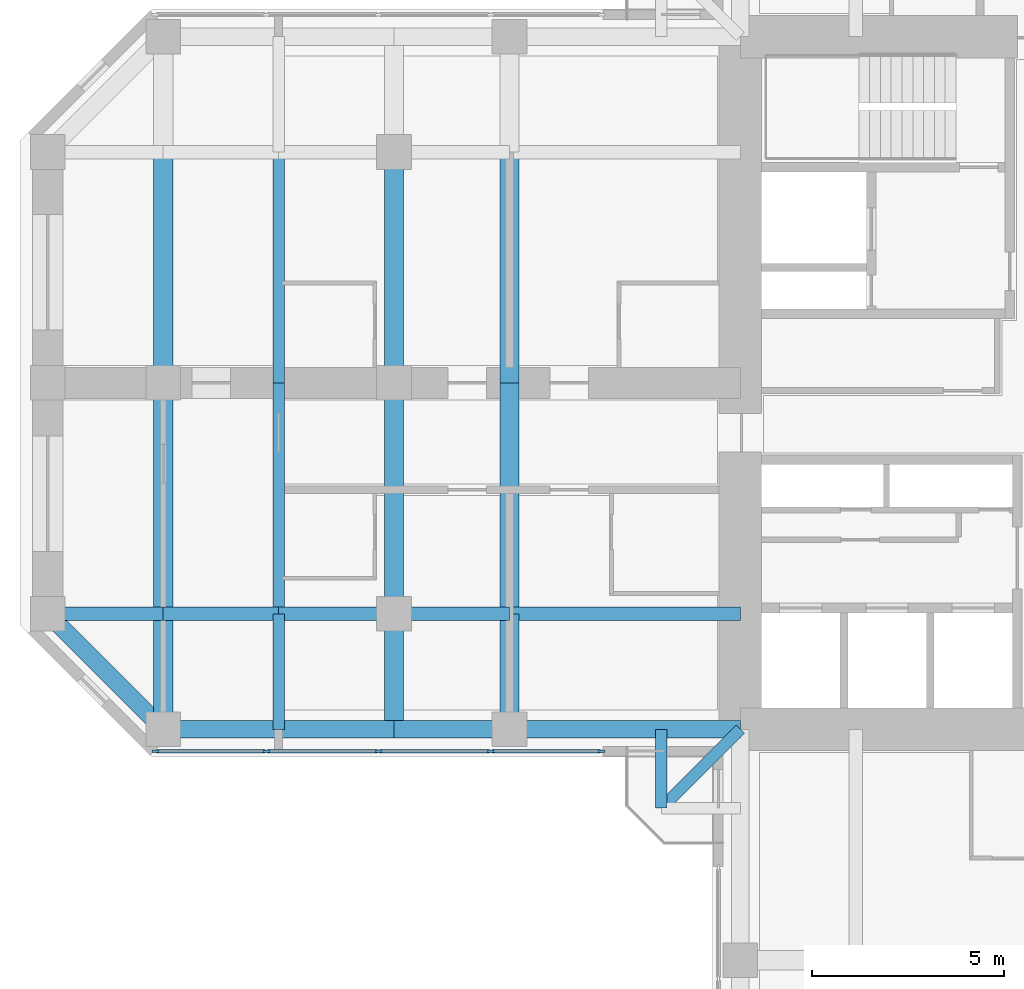
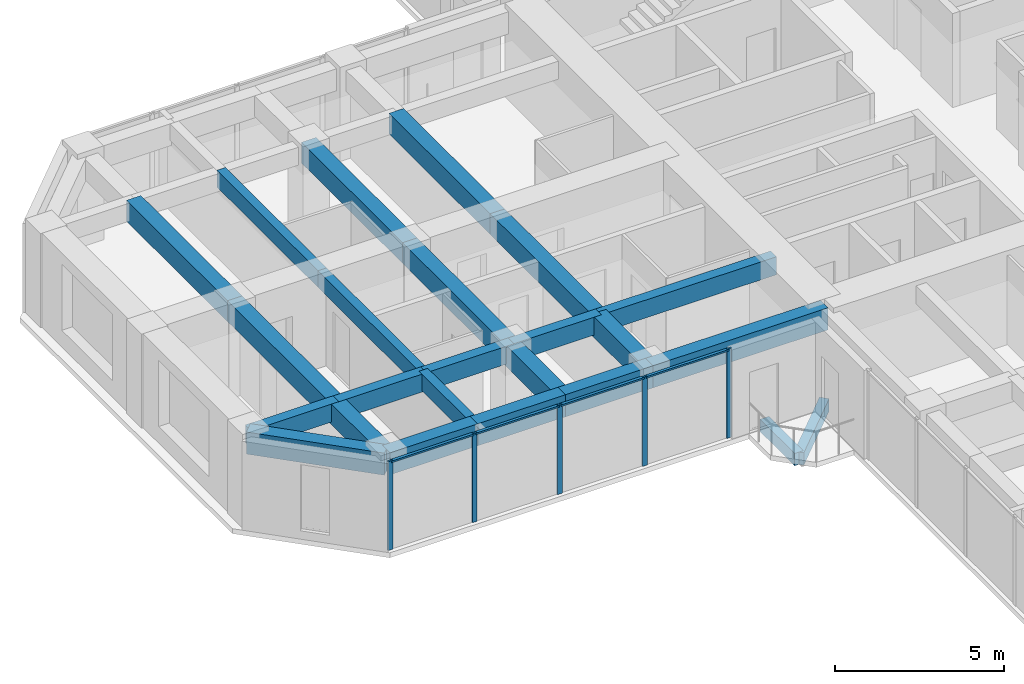
# One storey, part 3 of 14: 24 beams, 9 members, 1 element without a shape of its own.
"""IFC4 building model written with IfcOpenShell, lengths in metres."""

from ifc_helpers import new_model, si_unit, direction, frame, origin, origin_2d, place, context, subcontext, project, spatial, rectangle, extrude, material, material_profile, profile_set, type_object, element, aggregate, save


model = new_model("IFC4")

# Units and contexts
model_context = context("Model", 3, precision=1e-05, world=origin(), true_north=direction((0.0, 1.0)))
body_context = subcontext(model_context, "Body", "Model", "MODEL_VIEW")
ifc_project = project(units=[si_unit("LENGTHUNIT", "METRE"), si_unit("AREAUNIT", "SQUARE_METRE"), si_unit("VOLUMEUNIT", "CUBIC_METRE"), si_unit("PLANEANGLEUNIT", "RADIAN"), si_unit("MASSUNIT", "GRAM", prefix="KILO")], contexts=[model_context])

# Site, building, storey
site_placement = place(None, origin())
site = spatial("IfcSite", under=ifc_project, at=site_placement, CompositionType="ELEMENT")
building_placement = place(site_placement, origin())
building = spatial("IfcBuilding", under=site, at=building_placement, Name="Torre Cruceta", CompositionType="ELEMENT")
storey_placement = place(building_placement, frame((0.0, 0.0, 176.300048828125)))
storey = spatial("IfcBuildingStorey", under=building, at=storey_placement, Name="L43", CompositionType="ELEMENT", Elevation=176.300048828125)

# Beams
ifc_material_1 = material(Name="Concrete G60 (fck 60 MPa)", Category="concrete")
ifc_material_profile_1 = material_profile(ifc_material_1, rectangle(XDim=0.300048828125, YDim=0.449951171875, at=origin_2d()), Name="RC 300X450")
ifc_profile_set_1 = profile_set([ifc_material_profile_1], Name="Concrete G60 (fck 60 MPa)")
beam_type_1 = type_object("IfcBeamType", Name="BALCONY CANTILEVER BEAM RC 300X450", PredefinedType="BEAM", material=ifc_profile_set_1)
beam_1_placement = place(storey_placement, frame((-9.0, -9.0, -0.405029296875), z_axis=(-0.707106781187, -0.707106781187, 0.0), x_axis=(0.707106781187, -0.707106781187, 0.0)))
element("IfcBeam", 1, at=beam_1_placement, inside=storey, type_object=beam_type_1, Name="BB1 balcony beam L43 W", PredefinedType="BEAM", context=body_context, shape_type="SweptSolid", body=[
    extrude(rectangle(XDim=0.300048828125, YDim=0.449951171875, at=origin_2d()), origin(), (0.0, 0.0, 1.0), 2.89990234375),
])
beam_2_placement = place(storey_placement, frame((-11.050537109375, -9.0, -0.405029296875), z_axis=(0.0, -1.0, 0.0), x_axis=(1.0, 0.0, 0.0)))
element("IfcBeam", 2, at=beam_2_placement, inside=storey, type_object=beam_type_1, Name="BB1 balcony edge beam L43 W-X", PredefinedType="BEAM", context=body_context, shape_type="SweptSolid", body=[
    extrude(rectangle(XDim=0.300048828125, YDim=0.449951171875, at=origin_2d()), origin(), (0.0, 0.0, 1.0), 2.050537109375),
])
ifc_material_2 = material(Name="Concrete G60 (fck 60 MPa)", Category="concrete")
ifc_material_profile_2 = material_profile(ifc_material_2, rectangle(XDim=0.35009765625, YDim=0.64990234375, at=origin_2d()), Name="RC 350X650")
ifc_profile_set_2 = profile_set([ifc_material_profile_2], Name="Concrete G60 (fck 60 MPa)")
beam_type_2 = type_object("IfcBeamType", Name="COLUMN LINE BEAM RC 350X650", PredefinedType="BEAM", material=ifc_profile_set_2)
beam_3_placement = place(storey_placement, frame((-9.0, -6.0, 2.89501953125), z_axis=(-1.0, 0.0, 0.0), x_axis=(0.0, -1.0, 0.0)))
element("IfcBeam", 3, at=beam_3_placement, inside=storey, type_object=beam_type_2, Name="LB7 L43 W col+ 1", PredefinedType="BEAM", context=body_context, shape_type="SweptSolid", body=[
    extrude(rectangle(XDim=0.35009765625, YDim=0.64990234375, at=origin_2d()), origin(), (0.0, 0.0, 1.0), 6.0),
])
for number, where, z_axis, x_axis, name in (
    (4, (-15.0, -6.0, 2.89501953125), (-1.0, 0.0, 0.0), (0.0, -1.0, 0.0), "LB7 L43 W col+ 2"),
    (5, (-18.0, -6.0, 2.89501953125), (-1.0, 0.0, 0.0), (0.0, -1.0, 0.0), "LB7 L43 W col+ 3"),
    (6, (-21.0, -6.0, 2.89501953125), (-1.0, 0.0, 0.0), (0.0, -1.0, 0.0), "LB7 L43 W col+ 4"),
    (7, (-24.0, -6.0, 2.89501953125), (-1.0, 0.0, 0.0), (0.0, -1.0, 0.0), "LB7 L43 W col+ 5"),
):
    element("IfcBeam", number, at=place(storey_placement, frame(where, z_axis=z_axis, x_axis=x_axis)), inside=storey, type_object=beam_type_2, Name=name, PredefinedType="BEAM", context=body_context, shape_type="SweptSolid", body=[
        extrude(rectangle(XDim=0.35009765625, YDim=0.64990234375, at=origin_2d()), origin(), (0.0, 0.0, 1.0), 3.0),
    ])
ifc_material_3 = material(Name="Concrete G60 (fck 60 MPa)", Category="concrete")
ifc_material_profile_3 = material_profile(ifc_material_3, rectangle(XDim=0.5, YDim=0.75, at=origin_2d()), Name="RC 500X750")
ifc_profile_set_3 = profile_set([ifc_material_profile_3], Name="Concrete G60 (fck 60 MPa)")
beam_type_3 = type_object("IfcBeamType", Name="CROSS BEAM RC 500X750", PredefinedType="BEAM", material=ifc_profile_set_3)
for number, where, z_axis, x_axis, name in (
    (8, (-15.0, 6.0, 2.844970703125), (0.0, -1.0, 0.0), (1.0, 0.0, 0.0), "GB6 L43 W cross15 2"),
    (9, (-15.0, 0.0, 2.844970703125), (0.0, -1.0, 0.0), (1.0, 0.0, 0.0), "GB6 L43 W cross15 3"),
):
    element("IfcBeam", number, at=place(storey_placement, frame(where, z_axis=z_axis, x_axis=x_axis)), inside=storey, type_object=beam_type_3, Name=name, PredefinedType="BEAM", context=body_context, shape_type="SweptSolid", body=[
        extrude(rectangle(XDim=0.5, YDim=0.75, at=origin_2d()), origin(), (0.0, 0.0, 1.0), 6.0),
    ])
beam_4_placement = place(storey_placement, frame((-15.0, -6.0, 2.844970703125), z_axis=(0.0, -1.0, 0.0), x_axis=(1.0, 0.0, 0.0)))
element("IfcBeam", 10, at=beam_4_placement, inside=storey, type_object=beam_type_3, Name="GB6 L43 W cross15 4", PredefinedType="BEAM", context=body_context, shape_type="SweptSolid", body=[
    extrude(rectangle(XDim=0.5, YDim=0.75, at=origin_2d()), origin(), (0.0, 0.0, 1.0), 3.0),
])
for number, where, z_axis, x_axis, name in (
    (11, (-18.0, 6.0, 2.844970703125), (0.0, -1.0, 0.0), (1.0, 0.0, 0.0), "GB6 L43 W cross18 2"),
    (12, (-18.0, 0.0, 2.844970703125), (0.0, -1.0, 0.0), (1.0, 0.0, 0.0), "GB6 L43 W cross18 3"),
):
    element("IfcBeam", number, at=place(storey_placement, frame(where, z_axis=z_axis, x_axis=x_axis)), inside=storey, type_object=beam_type_3, Name=name, PredefinedType="BEAM", context=body_context, shape_type="SweptSolid", body=[
        extrude(rectangle(XDim=0.5, YDim=0.75, at=origin_2d()), origin(), (0.0, 0.0, 1.0), 6.0),
    ])
beam_5_placement = place(storey_placement, frame((-18.0, -6.0, 2.844970703125), z_axis=(0.0, -1.0, 0.0), x_axis=(1.0, 0.0, 0.0)))
element("IfcBeam", 13, at=beam_5_placement, inside=storey, type_object=beam_type_3, Name="GB6 L43 W cross18 4", PredefinedType="BEAM", context=body_context, shape_type="SweptSolid", body=[
    extrude(rectangle(XDim=0.5, YDim=0.75, at=origin_2d()), origin(), (0.0, 0.0, 1.0), 3.0),
])
for number, where, z_axis, x_axis, name in (
    (14, (-24.0, 6.0, 2.844970703125), (0.0, -1.0, 0.0), (1.0, 0.0, 0.0), "GB6 L43 W cross24 2"),
    (15, (-24.0, 0.0, 2.844970703125), (0.0, -1.0, 0.0), (1.0, 0.0, 0.0), "GB6 L43 W cross24 3"),
):
    element("IfcBeam", number, at=place(storey_placement, frame(where, z_axis=z_axis, x_axis=x_axis)), inside=storey, type_object=beam_type_3, Name=name, PredefinedType="BEAM", context=body_context, shape_type="SweptSolid", body=[
        extrude(rectangle(XDim=0.5, YDim=0.75, at=origin_2d()), origin(), (0.0, 0.0, 1.0), 6.0),
    ])
beam_6_placement = place(storey_placement, frame((-24.0, -6.0, 2.844970703125), z_axis=(0.0, -1.0, 0.0), x_axis=(1.0, 0.0, 0.0)))
element("IfcBeam", 16, at=beam_6_placement, inside=storey, type_object=beam_type_3, Name="GB6 L43 W cross24 4", PredefinedType="BEAM", context=body_context, shape_type="SweptSolid", body=[
    extrude(rectangle(XDim=0.5, YDim=0.75, at=origin_2d()), origin(), (0.0, 0.0, 1.0), 3.0),
])

# Curtain wall, members
ifc_material_4 = material(Name="Aluminium unitised curtain wall", Category="aluminium")
curtain_wall_type = type_object("IfcCurtainWallType", Name="CURTAIN WALL CW-C CO-LIVING", PredefinedType="USERDEFINED", material=ifc_material_4)
curtain_wall_placement = place(storey_placement, origin())
curtain_wall = element("IfcCurtainWall", 17, at=curtain_wall_placement, inside=storey, type_object=curtain_wall_type, Name="CW-C L43 W side 14", ObjectType="UNITISED", PredefinedType="USERDEFINED")
ifc_material_5 = material(Name="Aluminium mullion", Category="aluminium")
ifc_material_profile_4 = material_profile(ifc_material_5, rectangle(XDim=0.06005859375, YDim=0.159912109375, at=origin_2d()), Name="AL 60X160")
ifc_profile_set_4 = profile_set([ifc_material_profile_4], Name="Aluminium mullion")
member_type_1 = type_object("IfcMemberType", Name="CW-C MULLION 60X160", PredefinedType="MULLION", material=ifc_profile_set_4)
member_1_placement = place(storey_placement, frame((-24.2060546875, -9.570068359375, 0.0), z_axis=(0.0, 0.0, 1.0), x_axis=(0.0, 1.0, 0.0)))
member_1 = element("IfcMember", 18, at=member_1_placement, type_object=member_type_1, Name="CW-C mullion 1", PredefinedType="MULLION", context=body_context, shape_type="SweptSolid", body=[
    extrude(rectangle(XDim=0.06005859375, YDim=0.159912109375, at=origin_2d()), origin(), (0.0, 0.0, 1.0), 3.219970703125),
])
member_2_placement = place(storey_placement, frame((-21.319580078125, -9.570068359375, 0.0), z_axis=(0.0, 0.0, 1.0), x_axis=(0.0, 1.0, 0.0)))
member_2 = element("IfcMember", 19, at=member_2_placement, type_object=member_type_1, Name="CW-C mullion 2", PredefinedType="MULLION", context=body_context, shape_type="SweptSolid", body=[
    extrude(rectangle(XDim=0.06005859375, YDim=0.159912109375, at=origin_2d()), origin(), (0.0, 0.0, 1.0), 3.219970703125),
])
member_3_placement = place(storey_placement, frame((-18.403076171875, -9.570068359375, 0.0), z_axis=(0.0, 0.0, 1.0), x_axis=(0.0, 1.0, 0.0)))
member_3 = element("IfcMember", 20, at=member_3_placement, type_object=member_type_1, Name="CW-C mullion 3", PredefinedType="MULLION", context=body_context, shape_type="SweptSolid", body=[
    extrude(rectangle(XDim=0.06005859375, YDim=0.159912109375, at=origin_2d()), origin(), (0.0, 0.0, 1.0), 3.219970703125),
])
member_4_placement = place(storey_placement, frame((-15.486572265625, -9.570068359375, 0.0), z_axis=(0.0, 0.0, 1.0), x_axis=(0.0, 1.0, 0.0)))
member_4 = element("IfcMember", 21, at=member_4_placement, type_object=member_type_1, Name="CW-C mullion 4", PredefinedType="MULLION", context=body_context, shape_type="SweptSolid", body=[
    extrude(rectangle(XDim=0.06005859375, YDim=0.159912109375, at=origin_2d()), origin(), (0.0, 0.0, 1.0), 3.219970703125),
])
member_5_placement = place(storey_placement, frame((-12.60009765625, -9.570068359375, 0.0), z_axis=(0.0, 0.0, 1.0), x_axis=(0.0, 1.0, 0.0)))
member_5 = element("IfcMember", 22, at=member_5_placement, type_object=member_type_1, Name="CW-C mullion 5", PredefinedType="MULLION", context=body_context, shape_type="SweptSolid", body=[
    extrude(rectangle(XDim=0.06005859375, YDim=0.159912109375, at=origin_2d()), origin(), (0.0, 0.0, 1.0), 3.219970703125),
])
ifc_material_6 = material(Name="Aluminium transom", Category="aluminium")
ifc_material_profile_5 = material_profile(ifc_material_6, rectangle(XDim=0.10009765625, YDim=0.06005859375, at=origin_2d()), Name="AL 100X60")
ifc_profile_set_5 = profile_set([ifc_material_profile_5], Name="Aluminium transom")
member_type_2 = type_object("IfcMemberType", Name="CW-C TRANSOM 60X100", PredefinedType="USERDEFINED", material=ifc_profile_set_5)
member_6_placement = place(storey_placement, frame((-24.176025390625, -9.570068359375, 3.18994140625), z_axis=(1.0, 0.0, 0.0), x_axis=(0.0, 1.0, 0.0)))
member_6 = element("IfcMember", 23, at=member_6_placement, type_object=member_type_2, Name="CW-C transom 1", ObjectType="TRANSOM", PredefinedType="USERDEFINED", context=body_context, shape_type="SweptSolid", body=[
    extrude(rectangle(XDim=0.10009765625, YDim=0.06005859375, at=origin_2d()), origin(), (0.0, 0.0, 1.0), 2.826416015625),
])
member_7_placement = place(storey_placement, frame((-21.28955078125, -9.570068359375, 3.18994140625), z_axis=(1.0, 0.0, 0.0), x_axis=(0.0, 1.0, 0.0)))
member_7 = element("IfcMember", 24, at=member_7_placement, type_object=member_type_2, Name="CW-C transom 2", ObjectType="TRANSOM", PredefinedType="USERDEFINED", context=body_context, shape_type="SweptSolid", body=[
    extrude(rectangle(XDim=0.10009765625, YDim=0.06005859375, at=origin_2d()), origin(), (0.0, 0.0, 1.0), 2.8564453125),
])
member_8_placement = place(storey_placement, frame((-18.373046875, -9.570068359375, 3.18994140625), z_axis=(1.0, 0.0, 0.0), x_axis=(0.0, 1.0, 0.0)))
member_8 = element("IfcMember", 25, at=member_8_placement, type_object=member_type_2, Name="CW-C transom 3", ObjectType="TRANSOM", PredefinedType="USERDEFINED", context=body_context, shape_type="SweptSolid", body=[
    extrude(rectangle(XDim=0.10009765625, YDim=0.06005859375, at=origin_2d()), origin(), (0.0, 0.0, 1.0), 2.8564453125),
])
member_9_placement = place(storey_placement, frame((-15.45654296875, -9.570068359375, 3.18994140625), z_axis=(1.0, 0.0, 0.0), x_axis=(0.0, 1.0, 0.0)))
member_9 = element("IfcMember", 26, at=member_9_placement, type_object=member_type_2, Name="CW-C transom 4", ObjectType="TRANSOM", PredefinedType="USERDEFINED", context=body_context, shape_type="SweptSolid", body=[
    extrude(rectangle(XDim=0.10009765625, YDim=0.06005859375, at=origin_2d()), origin(), (0.0, 0.0, 1.0), 2.82666015625),
])
aggregate(curtain_wall, [member_1, member_2, member_3, member_4, member_5, member_6, member_7, member_8, member_9])

# Beams
ifc_material_7 = material(Name="Concrete G60 (fck 60 MPa)", Category="concrete")
ifc_material_profile_6 = material_profile(ifc_material_7, rectangle(XDim=0.300048828125, YDim=0.60009765625, at=origin_2d()), Name="RC 300X600")
ifc_profile_set_6 = profile_set([ifc_material_profile_6], Name="Concrete G60 (fck 60 MPa)")
beam_type_4 = type_object("IfcBeamType", Name="SECONDARY BEAM RC 300X600", PredefinedType="JOIST", material=ifc_profile_set_6)
for number, where, z_axis, x_axis, name in (
    (27, (-21.0, 6.0, 2.919921875), (0.0, -1.0, 0.0), (1.0, 0.0, 0.0), "JB6 L43 W sec21 2"),
    (28, (-21.0, 0.0, 2.919921875), (0.0, -1.0, 0.0), (1.0, 0.0, 0.0), "JB6 L43 W sec21 3"),
):
    element("IfcBeam", number, at=place(storey_placement, frame(where, z_axis=z_axis, x_axis=x_axis)), inside=storey, type_object=beam_type_4, Name=name, PredefinedType="JOIST", context=body_context, shape_type="SweptSolid", body=[
        extrude(rectangle(XDim=0.300048828125, YDim=0.60009765625, at=origin_2d()), origin(), (0.0, 0.0, 1.0), 6.0),
    ])
beam_7_placement = place(storey_placement, frame((-21.0, -6.0, 2.919921875), z_axis=(0.0, -1.0, 0.0), x_axis=(1.0, 0.0, 0.0)))
element("IfcBeam", 29, at=beam_7_placement, inside=storey, type_object=beam_type_4, Name="JB6 L43 W sec21 4", PredefinedType="JOIST", context=body_context, shape_type="SweptSolid", body=[
    extrude(rectangle(XDim=0.300048828125, YDim=0.60009765625, at=origin_2d()), origin(), (0.0, 0.0, 1.0), 3.0),
])
ifc_material_8 = material(Name="Concrete G60 (fck 60 MPa)", Category="concrete")
ifc_material_profile_7 = material_profile(ifc_material_8, rectangle(XDim=0.449951171875, YDim=0.800048828125, at=origin_2d()), Name="RC 450X800")
ifc_profile_set_7 = profile_set([ifc_material_profile_7], Name="Concrete G60 (fck 60 MPa)")
beam_type_5 = type_object("IfcBeamType", Name="SPANDREL BEAM RC 450X800", PredefinedType="SPANDREL", material=ifc_profile_set_7)
beam_8_placement = place(storey_placement, frame((-9.0, -9.0, 2.820068359375), z_axis=(-1.0, 0.0, 0.0), x_axis=(0.0, -1.0, 0.0)))
element("IfcBeam", 30, at=beam_8_placement, inside=storey, type_object=beam_type_5, Name="SB6 L43 W side+ 1", PredefinedType="SPANDREL", context=body_context, shape_type="SweptSolid", body=[
    extrude(rectangle(XDim=0.449951171875, YDim=0.800048828125, at=origin_2d()), origin(), (0.0, 0.0, 1.0), 6.0),
])
for number, where, z_axis, x_axis, name in (
    (31, (-15.0, -9.0, 2.820068359375), (-1.0, 0.0, 0.0), (0.0, -1.0, 0.0), "SB6 L43 W side+ 2"),
    (32, (-18.0, -9.0, 2.820068359375), (-1.0, 0.0, 0.0), (0.0, -1.0, 0.0), "SB6 L43 W side+ 3"),
    (33, (-21.0, -9.0, 2.820068359375), (-1.0, 0.0, 0.0), (0.0, -1.0, 0.0), "SB6 L43 W side+ 4"),
):
    element("IfcBeam", number, at=place(storey_placement, frame(where, z_axis=z_axis, x_axis=x_axis)), inside=storey, type_object=beam_type_5, Name=name, PredefinedType="SPANDREL", context=body_context, shape_type="SweptSolid", body=[
        extrude(rectangle(XDim=0.449951171875, YDim=0.800048828125, at=origin_2d()), origin(), (0.0, 0.0, 1.0), 3.0),
    ])
beam_9_placement = place(storey_placement, frame((-24.0, -9.0, 2.820068359375), z_axis=(-0.707106781187, 0.707106781187, 0.0), x_axis=(-0.707106781187, -0.707106781187, 0.0)))
element("IfcBeam", 34, at=beam_9_placement, inside=storey, type_object=beam_type_5, Name="SB6 L43 W side+ 5", PredefinedType="SPANDREL", context=body_context, shape_type="SweptSolid", body=[
    extrude(rectangle(XDim=0.449951171875, YDim=0.800048828125, at=origin_2d()), origin(), (0.0, 0.0, 1.0), 4.24267578125),
])

save(model, "model.ifc")
